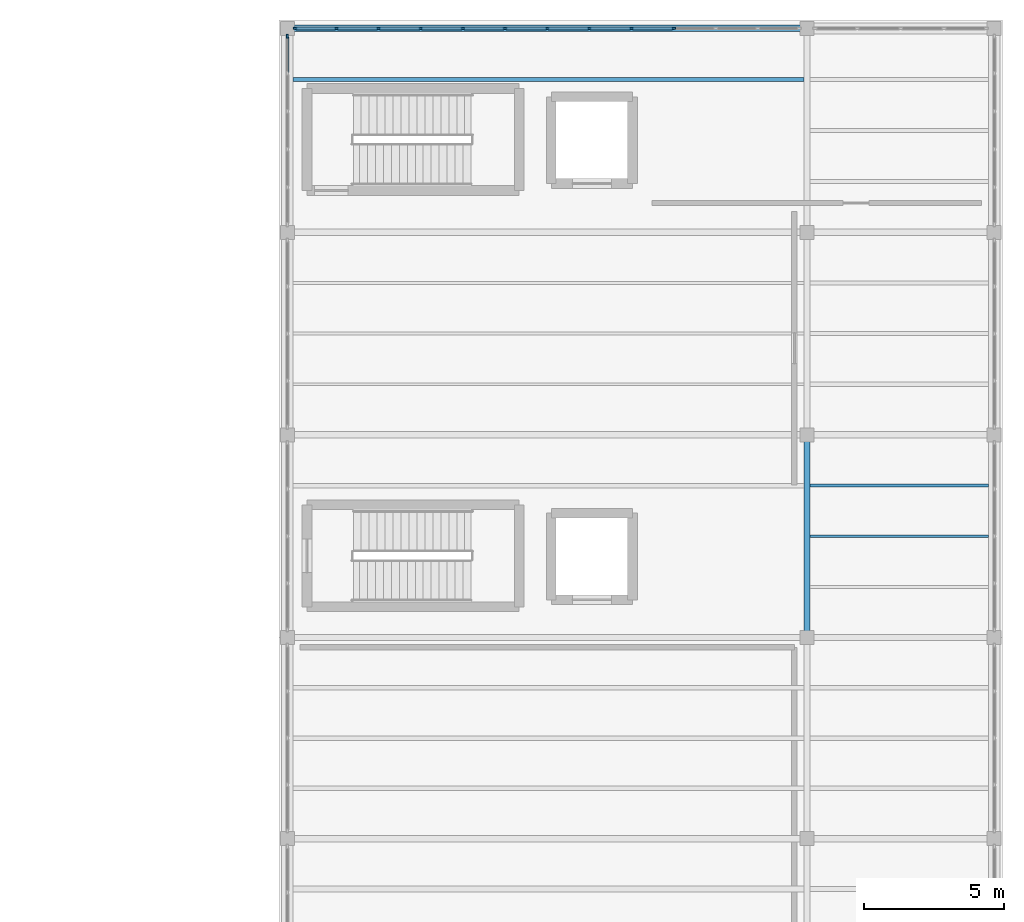
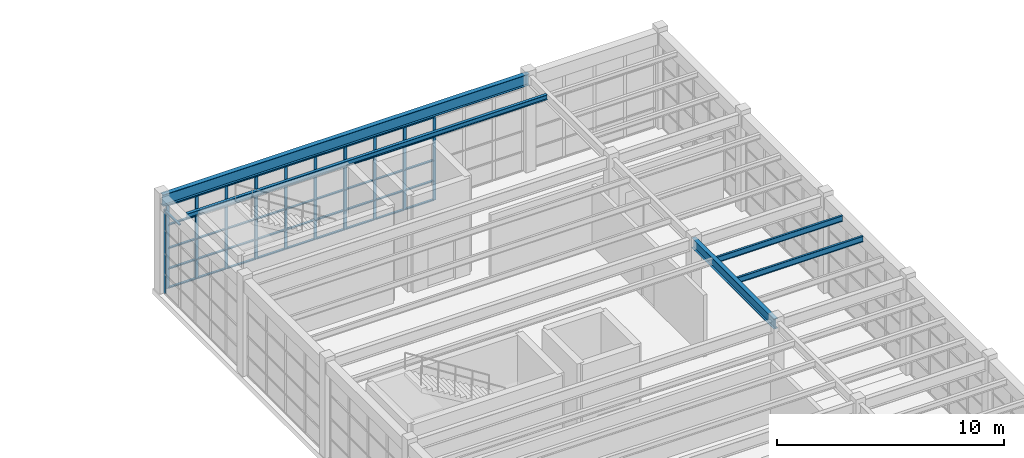
# One storey, part 58 of 103: 57 members, 5 beams, 2 elements without a shape of their own.
"""IFC4 building model written with IfcOpenShell, lengths in metres."""

from ifc_helpers import new_model, si_unit, direction, frame, origin, origin_2d, place, context, subcontext, project, spatial, rectangle, i_section, extrude, material, layer, layer_set, material_profile, profile_set, type_object, element, aggregate, save


model = new_model("IFC4")

# Units and contexts
model_context = context("Model", 3, precision=1e-05, world=origin(), true_north=direction((0.0, 1.0)))
body_context = subcontext(model_context, "Body", "Model", "MODEL_VIEW")
ifc_project = project(units=[si_unit("LENGTHUNIT", "METRE"), si_unit("AREAUNIT", "SQUARE_METRE"), si_unit("VOLUMEUNIT", "CUBIC_METRE"), si_unit("PLANEANGLEUNIT", "RADIAN"), si_unit("MASSUNIT", "GRAM", prefix="KILO")], contexts=[model_context])

# Site, building, storey
site_placement = place(None, origin())
site = spatial("IfcSite", under=ifc_project, at=site_placement, CompositionType="ELEMENT")
building_placement = place(site_placement, origin())
building = spatial("IfcBuilding", under=site, at=building_placement, Name="Candilejo Ridge Gondola Terminal", CompositionType="ELEMENT")
storey_placement = place(building_placement, frame((0.0, 0.0, 9.0)))
storey = spatial("IfcBuildingStorey", under=building, at=storey_placement, Name="L02", CompositionType="ELEMENT", Elevation=9.0)

# Curtain wall, member
ifc_material_1 = material(Name="Anodised aluminium AA 6063-T6", Category="aluminium")
ifc_layer_1 = layer(ifc_material_1, 0.169921875)
ifc_layer_set_1 = layer_set([ifc_layer_1], Name="ARC-CW-TOWER-3000-680X449")
curtain_wall_type_1 = type_object("IfcCurtainWallType", Name="ARC-CW-TOWER-3000-680X449", PredefinedType="NOTDEFINED", material=ifc_layer_set_1)
curtain_wall_1_placement = place(storey_placement, origin())
curtain_wall_1 = element("IfcCurtainWall", 1, at=curtain_wall_1_placement, inside=storey, type_object=curtain_wall_type_1, Name="Curtain wall V5 L02-190", PredefinedType="NOTDEFINED")
ifc_material_2 = material(Name="Anodised aluminium AA 6063-T6", Category="aluminium")
ifc_material_profile_1 = material_profile(ifc_material_2, rectangle(XDim=0.06494140625, YDim=0.14990234375, at=origin_2d()))
ifc_profile_set_1 = profile_set([ifc_material_profile_1], Name="Anodised aluminium AA 6063-T6")
member_type_1 = type_object("IfcMemberType", Name="ARC-CW-MULLION-150", PredefinedType="MULLION", material=ifc_profile_set_1)
member_1_placement = place(storey_placement, frame((150.0, 120.5673828125, 0.0), z_axis=(0.0, 0.0, 1.0), x_axis=(-1.0, 0.0, 0.0)))
member_1 = element("IfcMember", 2, at=member_1_placement, type_object=member_type_1, Name="CW-68X44 mullion 6", PredefinedType="MULLION", context=body_context, shape_type="SweptSolid", body=[
    extrude(rectangle(XDim=0.06494140625, YDim=0.14990234375, at=origin_2d()), origin(), (0.0, 0.0, 1.0), 4.489990234375),
])

# Curtain wall, members
ifc_material_3 = material(Name="Anodised aluminium AA 6063-T6", Category="aluminium")
ifc_layer_2 = layer(ifc_material_3, 0.169921875)
ifc_layer_set_2 = layer_set([ifc_layer_2], Name="ARC-CW-TOWER-3000-1810X449")
curtain_wall_type_2 = type_object("IfcCurtainWallType", Name="ARC-CW-TOWER-3000-1810X449", PredefinedType="NOTDEFINED", material=ifc_layer_set_2)
curtain_wall_2_placement = place(storey_placement, origin())
curtain_wall_2 = element("IfcCurtainWall", 3, at=curtain_wall_2_placement, inside=storey, type_object=curtain_wall_type_2, Name="Curtain wall V5 L02-193", PredefinedType="NOTDEFINED")
member_2_placement = place(storey_placement, frame((150.282470703125, 120.85009765625, 0.0), z_axis=(0.0, 0.0, 1.0), x_axis=(0.0, 1.0, 0.0)))
member_2 = element("IfcMember", 4, at=member_2_placement, type_object=member_type_1, Name="CW-181X44 mullion 1", PredefinedType="MULLION", context=body_context, shape_type="SweptSolid", body=[
    extrude(rectangle(XDim=0.06494140625, YDim=0.14990234375, at=origin_2d()), origin(), (0.0, 0.0, 1.0), 4.489990234375),
])
member_3_placement = place(storey_placement, frame((151.75830078125, 120.85009765625, 0.0), z_axis=(0.0, 0.0, 1.0), x_axis=(0.0, 1.0, 0.0)))
member_3 = element("IfcMember", 5, at=member_3_placement, type_object=member_type_1, Name="CW-181X44 mullion 2", PredefinedType="MULLION", context=body_context, shape_type="SweptSolid", body=[
    extrude(rectangle(XDim=0.06494140625, YDim=0.14990234375, at=origin_2d()), origin(), (0.0, 0.0, 1.0), 4.489990234375),
])
member_4_placement = place(storey_placement, frame((153.2666015625, 120.85009765625, 0.0), z_axis=(0.0, 0.0, 1.0), x_axis=(0.0, 1.0, 0.0)))
member_4 = element("IfcMember", 6, at=member_4_placement, type_object=member_type_1, Name="CW-181X44 mullion 3", PredefinedType="MULLION", context=body_context, shape_type="SweptSolid", body=[
    extrude(rectangle(XDim=0.06494140625, YDim=0.14990234375, at=origin_2d()), origin(), (0.0, 0.0, 1.0), 4.489990234375),
])
member_5_placement = place(storey_placement, frame((154.77490234375, 120.85009765625, 0.0), z_axis=(0.0, 0.0, 1.0), x_axis=(0.0, 1.0, 0.0)))
member_5 = element("IfcMember", 7, at=member_5_placement, type_object=member_type_1, Name="CW-181X44 mullion 4", PredefinedType="MULLION", context=body_context, shape_type="SweptSolid", body=[
    extrude(rectangle(XDim=0.06494140625, YDim=0.14990234375, at=origin_2d()), origin(), (0.0, 0.0, 1.0), 4.489990234375),
])
member_6_placement = place(storey_placement, frame((156.283447265625, 120.85009765625, 0.0), z_axis=(0.0, 0.0, 1.0), x_axis=(0.0, 1.0, 0.0)))
member_6 = element("IfcMember", 8, at=member_6_placement, type_object=member_type_1, Name="CW-181X44 mullion 5", PredefinedType="MULLION", context=body_context, shape_type="SweptSolid", body=[
    extrude(rectangle(XDim=0.06494140625, YDim=0.14990234375, at=origin_2d()), origin(), (0.0, 0.0, 1.0), 4.489990234375),
])
member_7_placement = place(storey_placement, frame((157.791748046875, 120.85009765625, 0.0), z_axis=(0.0, 0.0, 1.0), x_axis=(0.0, 1.0, 0.0)))
member_7 = element("IfcMember", 9, at=member_7_placement, type_object=member_type_1, Name="CW-181X44 mullion 6", PredefinedType="MULLION", context=body_context, shape_type="SweptSolid", body=[
    extrude(rectangle(XDim=0.06494140625, YDim=0.14990234375, at=origin_2d()), origin(), (0.0, 0.0, 1.0), 4.489990234375),
])
member_8_placement = place(storey_placement, frame((159.300048828125, 120.85009765625, 0.0), z_axis=(0.0, 0.0, 1.0), x_axis=(0.0, 1.0, 0.0)))
member_8 = element("IfcMember", 10, at=member_8_placement, type_object=member_type_1, Name="CW-181X44 mullion 7", PredefinedType="MULLION", context=body_context, shape_type="SweptSolid", body=[
    extrude(rectangle(XDim=0.06494140625, YDim=0.14990234375, at=origin_2d()), origin(), (0.0, 0.0, 1.0), 4.489990234375),
])
member_9_placement = place(storey_placement, frame((160.808349609375, 120.85009765625, 0.0), z_axis=(0.0, 0.0, 1.0), x_axis=(0.0, 1.0, 0.0)))
member_9 = element("IfcMember", 11, at=member_9_placement, type_object=member_type_1, Name="CW-181X44 mullion 8", PredefinedType="MULLION", context=body_context, shape_type="SweptSolid", body=[
    extrude(rectangle(XDim=0.06494140625, YDim=0.14990234375, at=origin_2d()), origin(), (0.0, 0.0, 1.0), 4.489990234375),
])
member_10_placement = place(storey_placement, frame((162.316650390625, 120.85009765625, 0.0), z_axis=(0.0, 0.0, 1.0), x_axis=(0.0, 1.0, 0.0)))
member_10 = element("IfcMember", 12, at=member_10_placement, type_object=member_type_1, Name="CW-181X44 mullion 9", PredefinedType="MULLION", context=body_context, shape_type="SweptSolid", body=[
    extrude(rectangle(XDim=0.06494140625, YDim=0.14990234375, at=origin_2d()), origin(), (0.0, 0.0, 1.0), 4.489990234375),
])
member_11_placement = place(storey_placement, frame((163.824951171875, 120.85009765625, 0.0), z_axis=(0.0, 0.0, 1.0), x_axis=(0.0, 1.0, 0.0)))
member_11 = element("IfcMember", 13, at=member_11_placement, type_object=member_type_1, Name="CW-181X44 mullion 10", PredefinedType="MULLION", context=body_context, shape_type="SweptSolid", body=[
    extrude(rectangle(XDim=0.06494140625, YDim=0.14990234375, at=origin_2d()), origin(), (0.0, 0.0, 1.0), 4.489990234375),
])

# Member
ifc_material_4 = material(Name="Anodised aluminium AA 6063-T6", Category="aluminium")
ifc_material_profile_2 = material_profile(ifc_material_4, rectangle(XDim=0.110107421875, YDim=0.06005859375, at=origin_2d()))
ifc_profile_set_2 = profile_set([ifc_material_profile_2], Name="Anodised aluminium AA 6063-T6")
member_type_2 = type_object("IfcMemberType", Name="ARC-CW-TRANSOM-110", PredefinedType="USERDEFINED", material=ifc_profile_set_2)
member_12_placement = place(storey_placement, frame((150.0, 119.2724609375, 4.4599609375), z_axis=(0.0, 1.0, 0.0), x_axis=(-1.0, 0.0, 0.0)))
member_12 = element("IfcMember", 14, at=member_12_placement, type_object=member_type_2, Name="CW-68X44 transom 5.5", ObjectType="TRANSOM", PredefinedType="USERDEFINED", context=body_context, shape_type="SweptSolid", body=[
    extrude(rectangle(XDim=0.110107421875, YDim=0.06005859375, at=origin_2d()), origin(), (0.0, 0.0, 1.0), 1.262451171875),
])

aggregate(curtain_wall_1, [member_1, member_12])

member_13_placement = place(storey_placement, frame((150.31494140625, 120.85009765625, 0.030029296875), z_axis=(1.0, 0.0, 0.0), x_axis=(0.0, 1.0, 0.0)))
member_13 = element("IfcMember", 15, at=member_13_placement, type_object=member_type_2, Name="CW-181X44 transom 1.1", ObjectType="TRANSOM", PredefinedType="USERDEFINED", context=body_context, shape_type="SweptSolid", body=[
    extrude(rectangle(XDim=0.110107421875, YDim=0.06005859375, at=origin_2d()), origin(), (0.0, 0.0, 1.0), 1.410888671875),
])

member_14_placement = place(storey_placement, frame((150.31494140625, 120.85009765625, 1.050048828125), z_axis=(1.0, 0.0, 0.0), x_axis=(0.0, 1.0, 0.0)))
member_14 = element("IfcMember", 16, at=member_14_placement, type_object=member_type_2, Name="CW-181X44 transom 1.2", ObjectType="TRANSOM", PredefinedType="USERDEFINED", context=body_context, shape_type="SweptSolid", body=[
    extrude(rectangle(XDim=0.110107421875, YDim=0.06005859375, at=origin_2d()), origin(), (0.0, 0.0, 1.0), 1.410888671875),
])

member_15_placement = place(storey_placement, frame((150.31494140625, 120.85009765625, 2.14990234375), z_axis=(1.0, 0.0, 0.0), x_axis=(0.0, 1.0, 0.0)))
member_15 = element("IfcMember", 17, at=member_15_placement, type_object=member_type_2, Name="CW-181X44 transom 1.3", ObjectType="TRANSOM", PredefinedType="USERDEFINED", context=body_context, shape_type="SweptSolid", body=[
    extrude(rectangle(XDim=0.110107421875, YDim=0.06005859375, at=origin_2d()), origin(), (0.0, 0.0, 1.0), 1.410888671875),
])

member_16_placement = place(storey_placement, frame((150.31494140625, 120.85009765625, 3.39990234375), z_axis=(1.0, 0.0, 0.0), x_axis=(0.0, 1.0, 0.0)))
member_16 = element("IfcMember", 18, at=member_16_placement, type_object=member_type_2, Name="CW-181X44 transom 1.4", ObjectType="TRANSOM", PredefinedType="USERDEFINED", context=body_context, shape_type="SweptSolid", body=[
    extrude(rectangle(XDim=0.110107421875, YDim=0.06005859375, at=origin_2d()), origin(), (0.0, 0.0, 1.0), 1.410888671875),
])

member_17_placement = place(storey_placement, frame((150.31494140625, 120.85009765625, 4.4599609375), z_axis=(1.0, 0.0, 0.0), x_axis=(0.0, 1.0, 0.0)))
member_17 = element("IfcMember", 19, at=member_17_placement, type_object=member_type_2, Name="CW-181X44 transom 1.5", ObjectType="TRANSOM", PredefinedType="USERDEFINED", context=body_context, shape_type="SweptSolid", body=[
    extrude(rectangle(XDim=0.110107421875, YDim=0.06005859375, at=origin_2d()), origin(), (0.0, 0.0, 1.0), 1.410888671875),
])

member_18_placement = place(storey_placement, frame((151.790771484375, 120.85009765625, 0.030029296875), z_axis=(1.0, 0.0, 0.0), x_axis=(0.0, 1.0, 0.0)))
member_18 = element("IfcMember", 20, at=member_18_placement, type_object=member_type_2, Name="CW-181X44 transom 2.1", ObjectType="TRANSOM", PredefinedType="USERDEFINED", context=body_context, shape_type="SweptSolid", body=[
    extrude(rectangle(XDim=0.110107421875, YDim=0.06005859375, at=origin_2d()), origin(), (0.0, 0.0, 1.0), 1.443359375),
])

member_19_placement = place(storey_placement, frame((151.790771484375, 120.85009765625, 1.050048828125), z_axis=(1.0, 0.0, 0.0), x_axis=(0.0, 1.0, 0.0)))
member_19 = element("IfcMember", 21, at=member_19_placement, type_object=member_type_2, Name="CW-181X44 transom 2.2", ObjectType="TRANSOM", PredefinedType="USERDEFINED", context=body_context, shape_type="SweptSolid", body=[
    extrude(rectangle(XDim=0.110107421875, YDim=0.06005859375, at=origin_2d()), origin(), (0.0, 0.0, 1.0), 1.443359375),
])

member_20_placement = place(storey_placement, frame((151.790771484375, 120.85009765625, 2.14990234375), z_axis=(1.0, 0.0, 0.0), x_axis=(0.0, 1.0, 0.0)))
member_20 = element("IfcMember", 22, at=member_20_placement, type_object=member_type_2, Name="CW-181X44 transom 2.3", ObjectType="TRANSOM", PredefinedType="USERDEFINED", context=body_context, shape_type="SweptSolid", body=[
    extrude(rectangle(XDim=0.110107421875, YDim=0.06005859375, at=origin_2d()), origin(), (0.0, 0.0, 1.0), 1.443359375),
])

member_21_placement = place(storey_placement, frame((151.790771484375, 120.85009765625, 3.39990234375), z_axis=(1.0, 0.0, 0.0), x_axis=(0.0, 1.0, 0.0)))
member_21 = element("IfcMember", 23, at=member_21_placement, type_object=member_type_2, Name="CW-181X44 transom 2.4", ObjectType="TRANSOM", PredefinedType="USERDEFINED", context=body_context, shape_type="SweptSolid", body=[
    extrude(rectangle(XDim=0.110107421875, YDim=0.06005859375, at=origin_2d()), origin(), (0.0, 0.0, 1.0), 1.443359375),
])

member_22_placement = place(storey_placement, frame((151.790771484375, 120.85009765625, 4.4599609375), z_axis=(1.0, 0.0, 0.0), x_axis=(0.0, 1.0, 0.0)))
member_22 = element("IfcMember", 24, at=member_22_placement, type_object=member_type_2, Name="CW-181X44 transom 2.5", ObjectType="TRANSOM", PredefinedType="USERDEFINED", context=body_context, shape_type="SweptSolid", body=[
    extrude(rectangle(XDim=0.110107421875, YDim=0.06005859375, at=origin_2d()), origin(), (0.0, 0.0, 1.0), 1.443359375),
])

member_23_placement = place(storey_placement, frame((153.299072265625, 120.85009765625, 0.030029296875), z_axis=(1.0, 0.0, 0.0), x_axis=(0.0, 1.0, 0.0)))
member_23 = element("IfcMember", 25, at=member_23_placement, type_object=member_type_2, Name="CW-181X44 transom 3.1", ObjectType="TRANSOM", PredefinedType="USERDEFINED", context=body_context, shape_type="SweptSolid", body=[
    extrude(rectangle(XDim=0.110107421875, YDim=0.06005859375, at=origin_2d()), origin(), (0.0, 0.0, 1.0), 1.443359375),
])

member_24_placement = place(storey_placement, frame((153.299072265625, 120.85009765625, 1.050048828125), z_axis=(1.0, 0.0, 0.0), x_axis=(0.0, 1.0, 0.0)))
member_24 = element("IfcMember", 26, at=member_24_placement, type_object=member_type_2, Name="CW-181X44 transom 3.2", ObjectType="TRANSOM", PredefinedType="USERDEFINED", context=body_context, shape_type="SweptSolid", body=[
    extrude(rectangle(XDim=0.110107421875, YDim=0.06005859375, at=origin_2d()), origin(), (0.0, 0.0, 1.0), 1.443359375),
])

member_25_placement = place(storey_placement, frame((153.299072265625, 120.85009765625, 2.14990234375), z_axis=(1.0, 0.0, 0.0), x_axis=(0.0, 1.0, 0.0)))
member_25 = element("IfcMember", 27, at=member_25_placement, type_object=member_type_2, Name="CW-181X44 transom 3.3", ObjectType="TRANSOM", PredefinedType="USERDEFINED", context=body_context, shape_type="SweptSolid", body=[
    extrude(rectangle(XDim=0.110107421875, YDim=0.06005859375, at=origin_2d()), origin(), (0.0, 0.0, 1.0), 1.443359375),
])

member_26_placement = place(storey_placement, frame((153.299072265625, 120.85009765625, 3.39990234375), z_axis=(1.0, 0.0, 0.0), x_axis=(0.0, 1.0, 0.0)))
member_26 = element("IfcMember", 28, at=member_26_placement, type_object=member_type_2, Name="CW-181X44 transom 3.4", ObjectType="TRANSOM", PredefinedType="USERDEFINED", context=body_context, shape_type="SweptSolid", body=[
    extrude(rectangle(XDim=0.110107421875, YDim=0.06005859375, at=origin_2d()), origin(), (0.0, 0.0, 1.0), 1.443359375),
])

member_27_placement = place(storey_placement, frame((153.299072265625, 120.85009765625, 4.4599609375), z_axis=(1.0, 0.0, 0.0), x_axis=(0.0, 1.0, 0.0)))
member_27 = element("IfcMember", 29, at=member_27_placement, type_object=member_type_2, Name="CW-181X44 transom 3.5", ObjectType="TRANSOM", PredefinedType="USERDEFINED", context=body_context, shape_type="SweptSolid", body=[
    extrude(rectangle(XDim=0.110107421875, YDim=0.06005859375, at=origin_2d()), origin(), (0.0, 0.0, 1.0), 1.443359375),
])

member_28_placement = place(storey_placement, frame((154.8076171875, 120.85009765625, 0.030029296875), z_axis=(1.0, 0.0, 0.0), x_axis=(0.0, 1.0, 0.0)))
member_28 = element("IfcMember", 30, at=member_28_placement, type_object=member_type_2, Name="CW-181X44 transom 4.1", ObjectType="TRANSOM", PredefinedType="USERDEFINED", context=body_context, shape_type="SweptSolid", body=[
    extrude(rectangle(XDim=0.110107421875, YDim=0.06005859375, at=origin_2d()), origin(), (0.0, 0.0, 1.0), 1.443115234375),
])

member_29_placement = place(storey_placement, frame((154.8076171875, 120.85009765625, 1.050048828125), z_axis=(1.0, 0.0, 0.0), x_axis=(0.0, 1.0, 0.0)))
member_29 = element("IfcMember", 31, at=member_29_placement, type_object=member_type_2, Name="CW-181X44 transom 4.2", ObjectType="TRANSOM", PredefinedType="USERDEFINED", context=body_context, shape_type="SweptSolid", body=[
    extrude(rectangle(XDim=0.110107421875, YDim=0.06005859375, at=origin_2d()), origin(), (0.0, 0.0, 1.0), 1.443115234375),
])

member_30_placement = place(storey_placement, frame((154.8076171875, 120.85009765625, 2.14990234375), z_axis=(1.0, 0.0, 0.0), x_axis=(0.0, 1.0, 0.0)))
member_30 = element("IfcMember", 32, at=member_30_placement, type_object=member_type_2, Name="CW-181X44 transom 4.3", ObjectType="TRANSOM", PredefinedType="USERDEFINED", context=body_context, shape_type="SweptSolid", body=[
    extrude(rectangle(XDim=0.110107421875, YDim=0.06005859375, at=origin_2d()), origin(), (0.0, 0.0, 1.0), 1.443115234375),
])

member_31_placement = place(storey_placement, frame((154.8076171875, 120.85009765625, 3.39990234375), z_axis=(1.0, 0.0, 0.0), x_axis=(0.0, 1.0, 0.0)))
member_31 = element("IfcMember", 33, at=member_31_placement, type_object=member_type_2, Name="CW-181X44 transom 4.4", ObjectType="TRANSOM", PredefinedType="USERDEFINED", context=body_context, shape_type="SweptSolid", body=[
    extrude(rectangle(XDim=0.110107421875, YDim=0.06005859375, at=origin_2d()), origin(), (0.0, 0.0, 1.0), 1.443115234375),
])

member_32_placement = place(storey_placement, frame((154.8076171875, 120.85009765625, 4.4599609375), z_axis=(1.0, 0.0, 0.0), x_axis=(0.0, 1.0, 0.0)))
member_32 = element("IfcMember", 34, at=member_32_placement, type_object=member_type_2, Name="CW-181X44 transom 4.5", ObjectType="TRANSOM", PredefinedType="USERDEFINED", context=body_context, shape_type="SweptSolid", body=[
    extrude(rectangle(XDim=0.110107421875, YDim=0.06005859375, at=origin_2d()), origin(), (0.0, 0.0, 1.0), 1.443115234375),
])

member_33_placement = place(storey_placement, frame((156.31591796875, 120.85009765625, 0.030029296875), z_axis=(1.0, 0.0, 0.0), x_axis=(0.0, 1.0, 0.0)))
member_33 = element("IfcMember", 35, at=member_33_placement, type_object=member_type_2, Name="CW-181X44 transom 5.1", ObjectType="TRANSOM", PredefinedType="USERDEFINED", context=body_context, shape_type="SweptSolid", body=[
    extrude(rectangle(XDim=0.110107421875, YDim=0.06005859375, at=origin_2d()), origin(), (0.0, 0.0, 1.0), 1.443359375),
])

member_34_placement = place(storey_placement, frame((156.31591796875, 120.85009765625, 1.050048828125), z_axis=(1.0, 0.0, 0.0), x_axis=(0.0, 1.0, 0.0)))
member_34 = element("IfcMember", 36, at=member_34_placement, type_object=member_type_2, Name="CW-181X44 transom 5.2", ObjectType="TRANSOM", PredefinedType="USERDEFINED", context=body_context, shape_type="SweptSolid", body=[
    extrude(rectangle(XDim=0.110107421875, YDim=0.06005859375, at=origin_2d()), origin(), (0.0, 0.0, 1.0), 1.443359375),
])

member_35_placement = place(storey_placement, frame((156.31591796875, 120.85009765625, 2.14990234375), z_axis=(1.0, 0.0, 0.0), x_axis=(0.0, 1.0, 0.0)))
member_35 = element("IfcMember", 37, at=member_35_placement, type_object=member_type_2, Name="CW-181X44 transom 5.3", ObjectType="TRANSOM", PredefinedType="USERDEFINED", context=body_context, shape_type="SweptSolid", body=[
    extrude(rectangle(XDim=0.110107421875, YDim=0.06005859375, at=origin_2d()), origin(), (0.0, 0.0, 1.0), 1.443359375),
])

member_36_placement = place(storey_placement, frame((156.31591796875, 120.85009765625, 3.39990234375), z_axis=(1.0, 0.0, 0.0), x_axis=(0.0, 1.0, 0.0)))
member_36 = element("IfcMember", 38, at=member_36_placement, type_object=member_type_2, Name="CW-181X44 transom 5.4", ObjectType="TRANSOM", PredefinedType="USERDEFINED", context=body_context, shape_type="SweptSolid", body=[
    extrude(rectangle(XDim=0.110107421875, YDim=0.06005859375, at=origin_2d()), origin(), (0.0, 0.0, 1.0), 1.443359375),
])

member_37_placement = place(storey_placement, frame((156.31591796875, 120.85009765625, 4.4599609375), z_axis=(1.0, 0.0, 0.0), x_axis=(0.0, 1.0, 0.0)))
member_37 = element("IfcMember", 39, at=member_37_placement, type_object=member_type_2, Name="CW-181X44 transom 5.5", ObjectType="TRANSOM", PredefinedType="USERDEFINED", context=body_context, shape_type="SweptSolid", body=[
    extrude(rectangle(XDim=0.110107421875, YDim=0.06005859375, at=origin_2d()), origin(), (0.0, 0.0, 1.0), 1.443359375),
])

member_38_placement = place(storey_placement, frame((157.82421875, 120.85009765625, 0.030029296875), z_axis=(1.0, 0.0, 0.0), x_axis=(0.0, 1.0, 0.0)))
member_38 = element("IfcMember", 40, at=member_38_placement, type_object=member_type_2, Name="CW-181X44 transom 6.1", ObjectType="TRANSOM", PredefinedType="USERDEFINED", context=body_context, shape_type="SweptSolid", body=[
    extrude(rectangle(XDim=0.110107421875, YDim=0.06005859375, at=origin_2d()), origin(), (0.0, 0.0, 1.0), 1.443359375),
])

member_39_placement = place(storey_placement, frame((157.82421875, 120.85009765625, 1.050048828125), z_axis=(1.0, 0.0, 0.0), x_axis=(0.0, 1.0, 0.0)))
member_39 = element("IfcMember", 41, at=member_39_placement, type_object=member_type_2, Name="CW-181X44 transom 6.2", ObjectType="TRANSOM", PredefinedType="USERDEFINED", context=body_context, shape_type="SweptSolid", body=[
    extrude(rectangle(XDim=0.110107421875, YDim=0.06005859375, at=origin_2d()), origin(), (0.0, 0.0, 1.0), 1.443359375),
])

member_40_placement = place(storey_placement, frame((157.82421875, 120.85009765625, 2.14990234375), z_axis=(1.0, 0.0, 0.0), x_axis=(0.0, 1.0, 0.0)))
member_40 = element("IfcMember", 42, at=member_40_placement, type_object=member_type_2, Name="CW-181X44 transom 6.3", ObjectType="TRANSOM", PredefinedType="USERDEFINED", context=body_context, shape_type="SweptSolid", body=[
    extrude(rectangle(XDim=0.110107421875, YDim=0.06005859375, at=origin_2d()), origin(), (0.0, 0.0, 1.0), 1.443359375),
])

member_41_placement = place(storey_placement, frame((157.82421875, 120.85009765625, 3.39990234375), z_axis=(1.0, 0.0, 0.0), x_axis=(0.0, 1.0, 0.0)))
member_41 = element("IfcMember", 43, at=member_41_placement, type_object=member_type_2, Name="CW-181X44 transom 6.4", ObjectType="TRANSOM", PredefinedType="USERDEFINED", context=body_context, shape_type="SweptSolid", body=[
    extrude(rectangle(XDim=0.110107421875, YDim=0.06005859375, at=origin_2d()), origin(), (0.0, 0.0, 1.0), 1.443359375),
])

member_42_placement = place(storey_placement, frame((157.82421875, 120.85009765625, 4.4599609375), z_axis=(1.0, 0.0, 0.0), x_axis=(0.0, 1.0, 0.0)))
member_42 = element("IfcMember", 44, at=member_42_placement, type_object=member_type_2, Name="CW-181X44 transom 6.5", ObjectType="TRANSOM", PredefinedType="USERDEFINED", context=body_context, shape_type="SweptSolid", body=[
    extrude(rectangle(XDim=0.110107421875, YDim=0.06005859375, at=origin_2d()), origin(), (0.0, 0.0, 1.0), 1.443359375),
])

member_43_placement = place(storey_placement, frame((159.33251953125, 120.85009765625, 0.030029296875), z_axis=(1.0, 0.0, 0.0), x_axis=(0.0, 1.0, 0.0)))
member_43 = element("IfcMember", 45, at=member_43_placement, type_object=member_type_2, Name="CW-181X44 transom 7.1", ObjectType="TRANSOM", PredefinedType="USERDEFINED", context=body_context, shape_type="SweptSolid", body=[
    extrude(rectangle(XDim=0.110107421875, YDim=0.06005859375, at=origin_2d()), origin(), (0.0, 0.0, 1.0), 1.443359375),
])

member_44_placement = place(storey_placement, frame((159.33251953125, 120.85009765625, 1.050048828125), z_axis=(1.0, 0.0, 0.0), x_axis=(0.0, 1.0, 0.0)))
member_44 = element("IfcMember", 46, at=member_44_placement, type_object=member_type_2, Name="CW-181X44 transom 7.2", ObjectType="TRANSOM", PredefinedType="USERDEFINED", context=body_context, shape_type="SweptSolid", body=[
    extrude(rectangle(XDim=0.110107421875, YDim=0.06005859375, at=origin_2d()), origin(), (0.0, 0.0, 1.0), 1.443359375),
])

member_45_placement = place(storey_placement, frame((159.33251953125, 120.85009765625, 2.14990234375), z_axis=(1.0, 0.0, 0.0), x_axis=(0.0, 1.0, 0.0)))
member_45 = element("IfcMember", 47, at=member_45_placement, type_object=member_type_2, Name="CW-181X44 transom 7.3", ObjectType="TRANSOM", PredefinedType="USERDEFINED", context=body_context, shape_type="SweptSolid", body=[
    extrude(rectangle(XDim=0.110107421875, YDim=0.06005859375, at=origin_2d()), origin(), (0.0, 0.0, 1.0), 1.443359375),
])

member_46_placement = place(storey_placement, frame((159.33251953125, 120.85009765625, 3.39990234375), z_axis=(1.0, 0.0, 0.0), x_axis=(0.0, 1.0, 0.0)))
member_46 = element("IfcMember", 48, at=member_46_placement, type_object=member_type_2, Name="CW-181X44 transom 7.4", ObjectType="TRANSOM", PredefinedType="USERDEFINED", context=body_context, shape_type="SweptSolid", body=[
    extrude(rectangle(XDim=0.110107421875, YDim=0.06005859375, at=origin_2d()), origin(), (0.0, 0.0, 1.0), 1.443359375),
])

member_47_placement = place(storey_placement, frame((159.33251953125, 120.85009765625, 4.4599609375), z_axis=(1.0, 0.0, 0.0), x_axis=(0.0, 1.0, 0.0)))
member_47 = element("IfcMember", 49, at=member_47_placement, type_object=member_type_2, Name="CW-181X44 transom 7.5", ObjectType="TRANSOM", PredefinedType="USERDEFINED", context=body_context, shape_type="SweptSolid", body=[
    extrude(rectangle(XDim=0.110107421875, YDim=0.06005859375, at=origin_2d()), origin(), (0.0, 0.0, 1.0), 1.443359375),
])

member_48_placement = place(storey_placement, frame((160.8408203125, 120.85009765625, 0.030029296875), z_axis=(1.0, 0.0, 0.0), x_axis=(0.0, 1.0, 0.0)))
member_48 = element("IfcMember", 50, at=member_48_placement, type_object=member_type_2, Name="CW-181X44 transom 8.1", ObjectType="TRANSOM", PredefinedType="USERDEFINED", context=body_context, shape_type="SweptSolid", body=[
    extrude(rectangle(XDim=0.110107421875, YDim=0.06005859375, at=origin_2d()), origin(), (0.0, 0.0, 1.0), 1.443359375),
])

member_49_placement = place(storey_placement, frame((160.8408203125, 120.85009765625, 1.050048828125), z_axis=(1.0, 0.0, 0.0), x_axis=(0.0, 1.0, 0.0)))
member_49 = element("IfcMember", 51, at=member_49_placement, type_object=member_type_2, Name="CW-181X44 transom 8.2", ObjectType="TRANSOM", PredefinedType="USERDEFINED", context=body_context, shape_type="SweptSolid", body=[
    extrude(rectangle(XDim=0.110107421875, YDim=0.06005859375, at=origin_2d()), origin(), (0.0, 0.0, 1.0), 1.443359375),
])

member_50_placement = place(storey_placement, frame((160.8408203125, 120.85009765625, 2.14990234375), z_axis=(1.0, 0.0, 0.0), x_axis=(0.0, 1.0, 0.0)))
member_50 = element("IfcMember", 52, at=member_50_placement, type_object=member_type_2, Name="CW-181X44 transom 8.3", ObjectType="TRANSOM", PredefinedType="USERDEFINED", context=body_context, shape_type="SweptSolid", body=[
    extrude(rectangle(XDim=0.110107421875, YDim=0.06005859375, at=origin_2d()), origin(), (0.0, 0.0, 1.0), 1.443359375),
])

member_51_placement = place(storey_placement, frame((160.8408203125, 120.85009765625, 3.39990234375), z_axis=(1.0, 0.0, 0.0), x_axis=(0.0, 1.0, 0.0)))
member_51 = element("IfcMember", 53, at=member_51_placement, type_object=member_type_2, Name="CW-181X44 transom 8.4", ObjectType="TRANSOM", PredefinedType="USERDEFINED", context=body_context, shape_type="SweptSolid", body=[
    extrude(rectangle(XDim=0.110107421875, YDim=0.06005859375, at=origin_2d()), origin(), (0.0, 0.0, 1.0), 1.443359375),
])

member_52_placement = place(storey_placement, frame((160.8408203125, 120.85009765625, 4.4599609375), z_axis=(1.0, 0.0, 0.0), x_axis=(0.0, 1.0, 0.0)))
member_52 = element("IfcMember", 54, at=member_52_placement, type_object=member_type_2, Name="CW-181X44 transom 8.5", ObjectType="TRANSOM", PredefinedType="USERDEFINED", context=body_context, shape_type="SweptSolid", body=[
    extrude(rectangle(XDim=0.110107421875, YDim=0.06005859375, at=origin_2d()), origin(), (0.0, 0.0, 1.0), 1.443359375),
])

member_53_placement = place(storey_placement, frame((162.34912109375, 120.85009765625, 0.030029296875), z_axis=(1.0, 0.0, 0.0), x_axis=(0.0, 1.0, 0.0)))
member_53 = element("IfcMember", 55, at=member_53_placement, type_object=member_type_2, Name="CW-181X44 transom 9.1", ObjectType="TRANSOM", PredefinedType="USERDEFINED", context=body_context, shape_type="SweptSolid", body=[
    extrude(rectangle(XDim=0.110107421875, YDim=0.06005859375, at=origin_2d()), origin(), (0.0, 0.0, 1.0), 1.443359375),
])

member_54_placement = place(storey_placement, frame((162.34912109375, 120.85009765625, 1.050048828125), z_axis=(1.0, 0.0, 0.0), x_axis=(0.0, 1.0, 0.0)))
member_54 = element("IfcMember", 56, at=member_54_placement, type_object=member_type_2, Name="CW-181X44 transom 9.2", ObjectType="TRANSOM", PredefinedType="USERDEFINED", context=body_context, shape_type="SweptSolid", body=[
    extrude(rectangle(XDim=0.110107421875, YDim=0.06005859375, at=origin_2d()), origin(), (0.0, 0.0, 1.0), 1.443359375),
])

member_55_placement = place(storey_placement, frame((162.34912109375, 120.85009765625, 2.14990234375), z_axis=(1.0, 0.0, 0.0), x_axis=(0.0, 1.0, 0.0)))
member_55 = element("IfcMember", 57, at=member_55_placement, type_object=member_type_2, Name="CW-181X44 transom 9.3", ObjectType="TRANSOM", PredefinedType="USERDEFINED", context=body_context, shape_type="SweptSolid", body=[
    extrude(rectangle(XDim=0.110107421875, YDim=0.06005859375, at=origin_2d()), origin(), (0.0, 0.0, 1.0), 1.443359375),
])

member_56_placement = place(storey_placement, frame((162.34912109375, 120.85009765625, 3.39990234375), z_axis=(1.0, 0.0, 0.0), x_axis=(0.0, 1.0, 0.0)))
member_56 = element("IfcMember", 58, at=member_56_placement, type_object=member_type_2, Name="CW-181X44 transom 9.4", ObjectType="TRANSOM", PredefinedType="USERDEFINED", context=body_context, shape_type="SweptSolid", body=[
    extrude(rectangle(XDim=0.110107421875, YDim=0.06005859375, at=origin_2d()), origin(), (0.0, 0.0, 1.0), 1.443359375),
])

member_57_placement = place(storey_placement, frame((162.34912109375, 120.85009765625, 4.4599609375), z_axis=(1.0, 0.0, 0.0), x_axis=(0.0, 1.0, 0.0)))
member_57 = element("IfcMember", 59, at=member_57_placement, type_object=member_type_2, Name="CW-181X44 transom 9.5", ObjectType="TRANSOM", PredefinedType="USERDEFINED", context=body_context, shape_type="SweptSolid", body=[
    extrude(rectangle(XDim=0.110107421875, YDim=0.06005859375, at=origin_2d()), origin(), (0.0, 0.0, 1.0), 1.443359375),
])

aggregate(curtain_wall_2, [member_2, member_3, member_4, member_5, member_6, member_7, member_8, member_9, member_10, member_11, member_13, member_14, member_15, member_16, member_17, member_18, member_19, member_20, member_21, member_22, member_23, member_24, member_25, member_26, member_27, member_28, member_29, member_30, member_31, member_32, member_33, member_34, member_35, member_36, member_37, member_38, member_39, member_40, member_41, member_42, member_43, member_44, member_45, member_46, member_47, member_48, member_49, member_50, member_51, member_52, member_53, member_54, member_55, member_56, member_57])

# Beams
ifc_material_5 = material(Name="Steel ASTM A992 Grade 50", Category="steel")
ifc_material_profile_3 = material_profile(ifc_material_5, i_section(OverallWidth=0.208984375, OverallDepth=0.532958984375, WebThickness=0.01025390625, FlangeThickness=0.015625, at=origin_2d()))
ifc_profile_set_3 = profile_set([ifc_material_profile_3], Name="Steel ASTM A992 Grade 50")
beam_type_1 = type_object("IfcBeamType", Name="STR-BM-W530X92", PredefinedType="BEAM", material=ifc_profile_set_3)
beam_1_placement = place(storey_placement, frame((168.60009765625, 99.050048828125, 4.8935546875), z_axis=(0.0, 1.0, 0.0), x_axis=(-1.0, 0.0, 0.0)))
element("IfcBeam", 60, at=beam_1_placement, inside=storey, type_object=beam_type_1, Name="Beam Y V5 L02 Y17-Y18@X25", PredefinedType="BEAM", context=body_context, shape_type="SweptSolid", body=[
    extrude(i_section(OverallWidth=0.208984375, OverallDepth=0.532958984375, WebThickness=0.01025390625, FlangeThickness=0.015625, at=origin_2d()), origin(), (0.0, 0.0, 1.0), 7.25),
])
ifc_material_6 = material(Name="Steel ASTM A992 Grade 50", Category="steel")
ifc_material_profile_4 = material_profile(ifc_material_6, i_section(OverallWidth=0.22900390625, OverallDepth=0.612060546875, WebThickness=0.011962890625, FlangeThickness=0.01953125, at=origin_2d()))
ifc_profile_set_4 = profile_set([ifc_material_profile_4], Name="Steel ASTM A992 Grade 50")
beam_type_2 = type_object("IfcBeamType", Name="STR-BM-W610X125", PredefinedType="BEAM", material=ifc_profile_set_4)
beam_2_placement = place(storey_placement, frame((150.0, 120.85009765625, 4.85400390625), z_axis=(1.0, 0.0, 0.0), x_axis=(0.0, 1.0, 0.0)))
element("IfcBeam", 61, at=beam_2_placement, inside=storey, type_object=beam_type_2, Name="Beam X V5 L02 X23-X25@Y20", PredefinedType="BEAM", context=body_context, shape_type="SweptSolid", body=[
    extrude(i_section(OverallWidth=0.22900390625, OverallDepth=0.612060546875, WebThickness=0.011962890625, FlangeThickness=0.01953125, at=origin_2d()), origin(), (0.0, 0.0, 1.0), 18.60009765625),
])
ifc_material_7 = material(Name="Steel ASTM A992 Grade 50", Category="steel")
ifc_material_profile_5 = material_profile(ifc_material_7, i_section(OverallWidth=0.14794921875, OverallDepth=0.26611328125, WebThickness=0.007568359375, FlangeThickness=0.012939453125, at=origin_2d()))
ifc_profile_set_5 = profile_set([ifc_material_profile_5], Name="Steel ASTM A992 Grade 50")
beam_type_3 = type_object("IfcBeamType", Name="STR-JST-W250X45", PredefinedType="JOIST", material=ifc_profile_set_5)
beam_3_placement = place(storey_placement, frame((150.199951171875, 119.02490234375, 5.027099609375), z_axis=(1.0, 0.0, 0.0), x_axis=(0.0, 1.0, 0.0)))
element("IfcBeam", 62, at=beam_3_placement, inside=storey, type_object=beam_type_3, Name="Composite joist V5 L02-1322", PredefinedType="JOIST", context=body_context, shape_type="SweptSolid", body=[
    extrude(i_section(OverallWidth=0.14794921875, OverallDepth=0.26611328125, WebThickness=0.007568359375, FlangeThickness=0.012939453125, at=origin_2d()), origin(), (0.0, 0.0, 1.0), 18.295654296875),
])
ifc_material_8 = material(Name="Steel ASTM A992 Grade 50", Category="steel")
ifc_material_profile_6 = material_profile(ifc_material_8, i_section(OverallWidth=0.10205078125, OverallDepth=0.31298828125, WebThickness=0.006591796875, FlangeThickness=0.0107421875, at=origin_2d()))
ifc_profile_set_6 = profile_set([ifc_material_profile_6], Name="Steel ASTM A992 Grade 50")
beam_type_4 = type_object("IfcBeamType", Name="STR-JST-W310X33", PredefinedType="JOIST", material=ifc_profile_set_6)
for number, where, z_axis, x_axis, name in (
    (63, (168.70458984375, 102.675048828125, 5.00341796875), (1.0, 0.0, 0.0), (0.0, 1.0, 0.0), "Composite joist V5 L02-1336"),
    (64, (168.70458984375, 104.487548828125, 5.00341796875), (1.0, 0.0, 0.0), (0.0, 1.0, 0.0), "Composite joist V5 L02-1337"),
):
    element("IfcBeam", number, at=place(storey_placement, frame(where, z_axis=z_axis, x_axis=x_axis)), inside=storey, type_object=beam_type_4, Name=name, PredefinedType="JOIST", context=body_context, shape_type="SweptSolid", body=[
        extrude(i_section(OverallWidth=0.10205078125, OverallDepth=0.31298828125, WebThickness=0.006591796875, FlangeThickness=0.0107421875, at=origin_2d()), origin(), (0.0, 0.0, 1.0), 6.3955078125),
    ])

save(model, "model.ifc")
